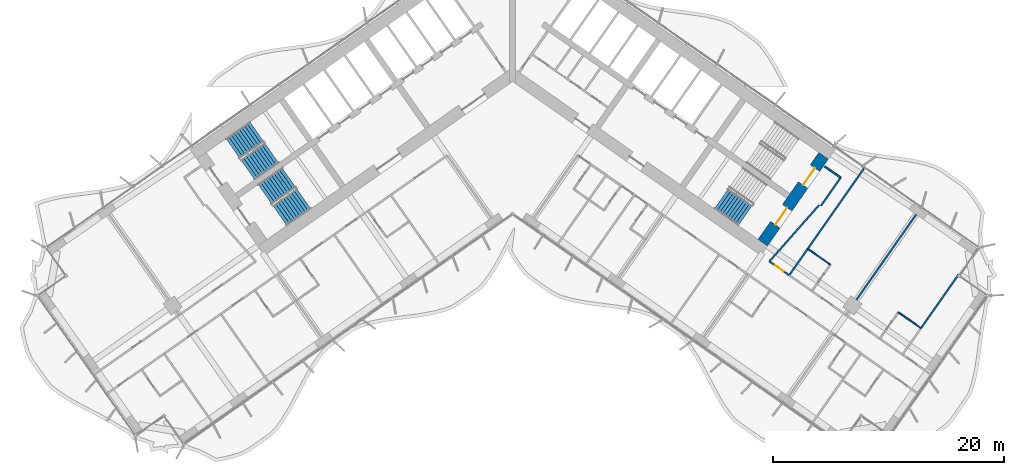
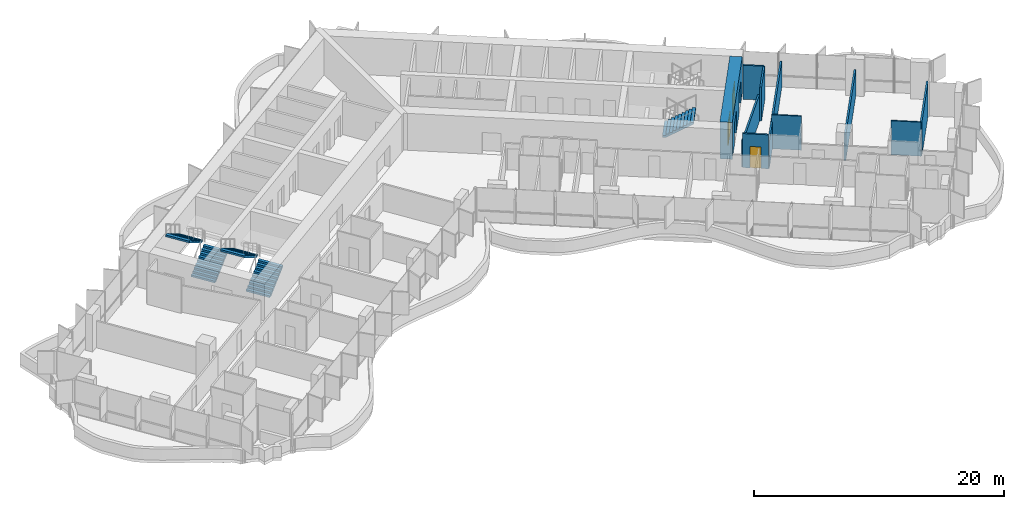
# One storey, part 16 of 23: 11 walls, 5 stair flights, 3 doors, 3 openings, 3 elements without a shape of their own.
"""IFC4 building model written with IfcOpenShell, lengths in metres."""

from ifc_helpers import new_model, si_unit, direction, frame, frame_2d, origin, place, context, subcontext, project, spatial, polyline, rectangle, outline, extrude, material, layer, layer_set, type_object, element, fill, aggregate, save


model = new_model("IFC4")

# Units and contexts
model_context = context("Model", 3, precision=1e-05, world=origin(), true_north=direction((0.0, 1.0)))
body_context = subcontext(model_context, "Body", "Model", "MODEL_VIEW")
ifc_project = project(units=[si_unit("LENGTHUNIT", "METRE"), si_unit("AREAUNIT", "SQUARE_METRE"), si_unit("VOLUMEUNIT", "CUBIC_METRE"), si_unit("PLANEANGLEUNIT", "RADIAN"), si_unit("MASSUNIT", "GRAM", prefix="KILO")], contexts=[model_context])

# Site, building, storey
site_placement = place(None, origin())
site = spatial("IfcSite", under=ifc_project, at=site_placement, CompositionType="ELEMENT")
building_placement = place(site_placement, origin())
building = spatial("IfcBuilding", under=site, at=building_placement, Name="Tel Ilan Convention Tower", CompositionType="ELEMENT")
storey_placement = place(building_placement, frame((0.0, 0.0, 115.699951171875)))
storey = spatial("IfcBuildingStorey", under=building, at=storey_placement, Name="L25", CompositionType="ELEMENT", Elevation=115.699951171875)

# Wall, openings, doors
ifc_material_1 = material(Name="Concrete C60/75", Category="concrete")
ifc_layer_1 = layer(ifc_material_1, 1.0)
ifc_layer_set_1 = layer_set([ifc_layer_1], Name="Core Shear Wall 1000 mm C60/75")
wall_type_1 = type_object("IfcWallType", Name="Core Shear Wall 1000 mm C60/75", PredefinedType="SHEAR", material=ifc_layer_set_1)
wall_1_placement = place(storey_placement, frame((21.70751953125, -15.19970703125, 0.0), z_axis=(0.0, 0.0, 1.0), x_axis=(0.573576324356, 0.819152122709, 0.0)))
wall_1 = element("IfcWall", 1, at=wall_1_placement, inside=storey, type_object=wall_type_1, Name="L25 core wall E-end", PredefinedType="SHEAR", context=body_context, shape_type="SweptSolid", body=[
    extrude(outline(polyline([(9.199951171875, 0.5), (0.0, 0.5), (0.0, -0.5), (9.199951171875, -0.5), (9.199951171875, 0.5)])), origin(), (0.0, 0.0, 1.0), 3.60009765625),
])
opening_1_placement = place(wall_1_placement, frame((6.10009765625, 0.0, 0.0)))
opening_1 = element("IfcOpeningElement", 2, at=opening_1_placement, cuts=wall_1, Name="Opening SD2003", PredefinedType="OPENING", context=body_context, shape_type="SweptSolid", body=[
    extrude(rectangle(XDim=1.800048828125, YDim=2.10009765625, at=frame_2d((0.89990234375, 1.050048828125))), frame((0.0, 0.510009765625, 0.0), z_axis=(0.0, -1.0, 0.0), x_axis=(1.0, 0.0, 0.0)), (0.0, 0.0, 1.0), 1.02001953125),
])
opening_2_placement = place(wall_1_placement, frame((1.89990234375, 0.0, 0.0)))
opening_2 = element("IfcOpeningElement", 3, at=opening_2_placement, cuts=wall_1, Name="Opening SD2004", PredefinedType="OPENING", context=body_context, shape_type="SweptSolid", body=[
    extrude(rectangle(XDim=1.800048828125, YDim=2.10009765625, at=frame_2d((0.89990234375, 1.050048828125))), frame((0.0, 0.510009765625, 0.0), z_axis=(0.0, -1.0, 0.0), x_axis=(1.0, 0.0, 0.0)), (0.0, 0.0, 1.0), 1.02001953125),
])
ifc_material_2 = material(Name="Galvanised Steel Door Leaf", Category="steel")
door_type_1 = type_object("IfcDoorType", Name="Stair Fire Door 1800 x 2100 FD60S", OperationType="NOTDEFINED", PredefinedType="DOOR", material=ifc_material_2)
door_1_placement = place(opening_1_placement, origin())
door_1 = element("IfcDoor", 4, at=door_1_placement, inside=storey, type_object=door_type_1, Name="Stair S3 door", OperationType="DOUBLE_DOOR_SINGLE_SWING", OverallHeight=2.10009765625, OverallWidth=1.800048828125, PredefinedType="DOOR", context=body_context, shape_type="SweptSolid", body=[
    extrude(rectangle(XDim=1.800048828125, YDim=2.10009765625, at=frame_2d((0.89990234375, 1.050048828125))), frame((0.0, 0.02490234375, 0.0), z_axis=(0.0, -1.0, 0.0), x_axis=(1.0, 0.0, 0.0)), (0.0, 0.0, 1.0), 0.050048828125),
])
fill(opening_1, door_1)
door_2_placement = place(opening_2_placement, origin())
door_2 = element("IfcDoor", 5, at=door_2_placement, inside=storey, type_object=door_type_1, Name="Stair S4 door", OperationType="DOUBLE_DOOR_SINGLE_SWING", OverallHeight=2.10009765625, OverallWidth=1.800048828125, PredefinedType="DOOR", context=body_context, shape_type="SweptSolid", body=[
    extrude(rectangle(XDim=1.800048828125, YDim=2.10009765625, at=frame_2d((0.89990234375, 1.050048828125))), frame((0.0, 0.02490234375, 0.0), z_axis=(0.0, -1.0, 0.0), x_axis=(1.0, 0.0, 0.0)), (0.0, 0.0, 1.0), 0.050048828125),
])
fill(opening_2, door_2)

# Wall, opening, door
ifc_material_3 = material(Name="Plasterboard on Steel Studs", Category="steel")
ifc_layer_2 = layer(ifc_material_3, 0.14990234375)
ifc_layer_set_2 = layer_set([ifc_layer_2], Name="Fire-rated Partition 150 EI 60")
wall_type_2 = type_object("IfcWallType", Name="Fire-rated Partition 150 EI 60", PredefinedType="PARTITIONING", material=ifc_layer_set_2)
wall_2_placement = place(storey_placement, frame((22.28369140625, -16.823974609375, 0.0), z_axis=(0.0, 0.0, 1.0), x_axis=(0.819160859995, -0.573563846013, 0.0)))
wall_2 = element("IfcWall", 6, at=wall_2_placement, inside=storey, type_object=wall_type_2, Name="Partition 001", PredefinedType="PARTITIONING", context=body_context, shape_type="SweptSolid", body=[
    extrude(rectangle(XDim=2.098388671875, YDim=0.14990234375, at=frame_2d((1.04931640625, 0.0))), origin(), (0.0, 0.0, 1.0), 3.320068359375),
])
opening_3_placement = place(wall_2_placement, frame((0.59912109375, 0.0, 0.0)))
opening_3 = element("IfcOpeningElement", 7, at=opening_3_placement, cuts=wall_2, Name="Opening L24-027", PredefinedType="OPENING", context=body_context, shape_type="SweptSolid", body=[
    extrude(rectangle(XDim=0.89990234375, YDim=2.10009765625, at=frame_2d((0.449951171875, 1.050048828125))), frame((0.0, 0.0849609375, 0.0), z_axis=(0.0, -1.0, 0.0), x_axis=(1.0, 0.0, 0.0)), (0.0, 0.0, 1.0), 0.169921875),
])
ifc_material_4 = material(Name="Timber Door Leaf in Steel Frame", Category="steel")
door_type_2 = type_object("IfcDoorType", Name="Room Fire Door 900x2100", OperationType="NOTDEFINED", PredefinedType="DOOR", material=ifc_material_4)
door_3_placement = place(opening_3_placement, origin())
door_3 = element("IfcDoor", 8, at=door_3_placement, inside=storey, type_object=door_type_2, Name="Door L24-027", OperationType="SINGLE_SWING_LEFT", OverallHeight=2.10009765625, OverallWidth=0.89990234375, PredefinedType="DOOR", context=body_context, shape_type="SweptSolid", body=[
    extrude(rectangle(XDim=0.89990234375, YDim=2.10009765625, at=frame_2d((0.449951171875, 1.050048828125))), frame((0.0, 0.02490234375, 0.0), z_axis=(0.0, -1.0, 0.0), x_axis=(1.0, 0.0, 0.0)), (0.0, 0.0, 1.0), 0.050048828125),
])
fill(opening_3, door_3)

# Walls
wall_3_placement = place(storey_placement, frame((30.482421875, -8.77001953125, 0.0), z_axis=(0.0, 0.0, 1.0), x_axis=(-0.573576058406, -0.819152308929, 0.0)))
element("IfcWall", 9, at=wall_3_placement, inside=storey, type_object=wall_type_2, Name="Partition 033", PredefinedType="PARTITIONING", context=body_context, shape_type="SweptSolid", body=[
    extrude(rectangle(XDim=8.5009765625, YDim=0.14990234375, at=frame_2d((4.25048828125, 0.0))), origin(), (0.0, 0.0, 1.0), 2.60009765625),
])
wall_4_placement = place(storey_placement, frame((25.608154296875, -15.731201171875, 0.0), z_axis=(0.0, 0.0, 1.0), x_axis=(-0.573596837309, -0.819137759006, 0.0)))
element("IfcWall", 10, at=wall_4_placement, inside=storey, type_object=wall_type_2, Name="Partition 034", PredefinedType="PARTITIONING", context=body_context, shape_type="SweptSolid", body=[
    extrude(rectangle(XDim=2.802001953125, YDim=0.14990234375, at=frame_2d((1.40087890625, 0.0))), origin(), (0.0, 0.0, 1.0), 2.60009765625),
])
wall_5_placement = place(storey_placement, frame((22.285400390625, -16.8251953125, 0.0), z_axis=(0.0, 0.0, 1.0), x_axis=(0.661551268245, 0.749899939647, 0.0)))
element("IfcWall", 11, at=wall_5_placement, inside=storey, type_object=wall_type_2, Name="Partition 035", PredefinedType="PARTITIONING", context=body_context, shape_type="SweptSolid", body=[
    extrude(rectangle(XDim=6.541015625, YDim=0.14990234375, at=frame_2d((3.2705078125, 0.0))), origin(), (0.0, 0.0, 1.0), 2.60009765625),
])
wall_6_placement = place(storey_placement, frame((26.74609375, -12.013671875, 0.0), z_axis=(0.0, 0.0, 1.0), x_axis=(0.573560650686, 0.819163097304, 0.0)))
element("IfcWall", 12, at=wall_6_placement, inside=storey, type_object=wall_type_2, Name="Partition 036", PredefinedType="PARTITIONING", context=body_context, shape_type="SweptSolid", body=[
    extrude(rectangle(XDim=3.0, YDim=0.14990234375, at=frame_2d((1.5, 0.0))), origin(), (0.0, 0.0, 1.0), 3.320068359375),
])
wall_7_placement = place(storey_placement, frame((28.466796875, -9.55615234375, 0.0), z_axis=(0.0, 0.0, 1.0), x_axis=(-0.819109000826, 0.573637903879, 0.0)))
element("IfcWall", 13, at=wall_7_placement, inside=storey, type_object=wall_type_2, Name="Partition 037", PredefinedType="PARTITIONING", context=body_context, shape_type="SweptSolid", body=[
    extrude(rectangle(XDim=1.679931640625, YDim=0.14990234375, at=frame_2d((0.83984375, 0.0))), origin(), (0.0, 0.0, 1.0), 3.320068359375),
])
wall_8_placement = place(storey_placement, frame((35.012939453125, -12.76025390625, 0.0), z_axis=(0.0, 0.0, 1.0), x_axis=(-0.573558725113, -0.819164445546, 0.0)))
element("IfcWall", 14, at=wall_8_placement, inside=storey, type_object=wall_type_2, Name="Partition 040", PredefinedType="PARTITIONING", context=body_context, shape_type="SweptSolid", body=[
    extrude(rectangle(XDim=9.010009765625, YDim=0.14990234375, at=frame_2d((4.5048828125, 0.0))), origin(), (0.0, 0.0, 1.0), 2.60009765625),
])
wall_9_placement = place(storey_placement, frame((38.70751953125, -17.94482421875, 0.0), z_axis=(0.0, 0.0, 1.0), x_axis=(-0.573568678046, -0.819157476658, 0.0)))
element("IfcWall", 15, at=wall_9_placement, inside=storey, type_object=wall_type_2, Name="Partition 044", PredefinedType="PARTITIONING", context=body_context, shape_type="SweptSolid", body=[
    extrude(rectangle(XDim=5.701171875, YDim=0.14990234375, at=frame_2d((2.8505859375, 0.0))), origin(), (0.0, 0.0, 1.0), 3.320068359375),
])
ifc_material_5 = material(Name="Plasterboard on Steel Studs", Category="steel")
ifc_layer_3 = layer(ifc_material_5, 0.1201171875)
ifc_layer_set_3 = layer_set([ifc_layer_3], Name="Moisture-resistant Partition 120")
wall_type_3 = type_object("IfcWallType", Name="Moisture-resistant Partition 120", PredefinedType="PARTITIONING", material=ifc_layer_set_3)
wall_10_placement = place(storey_placement, frame((27.573486328125, -17.108642578125, 0.0), z_axis=(0.0, 0.0, 1.0), x_axis=(-0.819107643868, 0.573639841501, 0.0)))
element("IfcWall", 16, at=wall_10_placement, inside=storey, type_object=wall_type_3, Name="Partition 039", PredefinedType="PARTITIONING", context=body_context, shape_type="SweptSolid", body=[
    extrude(rectangle(XDim=2.39990234375, YDim=0.1201171875, at=frame_2d((1.199951171875, 0.0))), origin(), (0.0, 0.0, 1.0), 3.320068359375),
])
wall_11_placement = place(storey_placement, frame((35.4375, -22.614990234375, 0.0), z_axis=(0.0, 0.0, 1.0), x_axis=(-0.819141114317, 0.573592045652, 0.0)))
element("IfcWall", 17, at=wall_11_placement, inside=storey, type_object=wall_type_3, Name="Partition 042", PredefinedType="PARTITIONING", context=body_context, shape_type="SweptSolid", body=[
    extrude(rectangle(XDim=2.400146484375, YDim=0.1201171875, at=frame_2d((1.2001953125, 0.0))), origin(), (0.0, 0.0, 1.0), 3.320068359375),
])

# Stair, stair flights
ifc_material_6 = material(Name="Concrete C40/50", Category="concrete")
stair_type = type_object("IfcStairType", Name="Pressurised Exit Stair 20 risers 180 mm", PredefinedType="HALF_TURN_STAIR", material=ifc_material_6)
stair_1_placement = place(storey_placement, origin())
stair_1 = element("IfcStair", 18, at=stair_1_placement, inside=storey, type_object=stair_type, Name="L25 Pressurised Stair S1", PredefinedType="HALF_TURN_STAIR")
ifc_material_7 = material(Name="Precast Concrete C40/50", Category="concrete")
stair_flight_type = type_object("IfcStairFlightType", Name="Concrete Stair Flight 2100 mm 20 risers 180 mm", PredefinedType="STRAIGHT", material=ifc_material_7)
stair_flight_1_placement = place(storey_placement, frame((-22.9619140625, -8.87548828125, 0.0), z_axis=(0.0, 0.0, 1.0), x_axis=(0.819152044289, 0.573576436351, 0.0)))
stair_flight_1 = element("IfcStairFlight", 19, at=stair_flight_1_placement, type_object=stair_flight_type, Name="S1 flight 1", NumberOfRisers=10, NumberOfTreads=9, PredefinedType="STRAIGHT", RiserHeight=0.18, TreadLength=0.28, context=body_context, shape_type="SweptSolid", body=[
    extrude(outline(polyline([(0.0, 0.0), (0.0, 0.179931640625), (0.280029296875, 0.179931640625), (0.280029296875, 0.360107421875), (0.56005859375, 0.360107421875), (0.56005859375, 0.5400390625), (0.840087890625, 0.5400390625), (0.840087890625, 0.719970703125), (1.1201171875, 0.719970703125), (1.1201171875, 0.89990234375), (1.39990234375, 0.89990234375), (1.39990234375, 1.080078125), (1.679931640625, 1.080078125), (1.679931640625, 1.260009765625), (1.9599609375, 1.260009765625), (1.9599609375, 1.43994140625), (2.239990234375, 1.43994140625), (2.239990234375, 1.6201171875), (2.52001953125, 1.6201171875), (2.52001953125, 1.800048828125), (2.52001953125, 1.44189453125), (0.277099609375, 0.0), (0.0, 0.0)])), frame((0.0, -0.100341796875, 0.0), z_axis=(0.0, -1.0, 0.0), x_axis=(1.0, 0.0, 0.0)), (0.0, 0.0, 1.0), 0.94970703125),
    extrude(outline(polyline([(0.0, 0.0), (0.0, 0.179931640625), (0.280029296875, 0.179931640625), (0.280029296875, 0.360107421875), (0.56005859375, 0.360107421875), (0.56005859375, 0.5400390625), (0.840087890625, 0.5400390625), (0.840087890625, 0.719970703125), (1.1201171875, 0.719970703125), (1.1201171875, 0.89990234375), (1.39990234375, 0.89990234375), (1.39990234375, 1.080078125), (1.679931640625, 1.080078125), (1.679931640625, 1.260009765625), (1.9599609375, 1.260009765625), (1.9599609375, 1.43994140625), (2.239990234375, 1.43994140625), (2.239990234375, 1.6201171875), (2.52001953125, 1.6201171875), (2.52001953125, 1.800048828125), (2.52001953125, 1.44189453125), (0.277099609375, 0.0), (0.0, 0.0)])), frame((0.0, -0.000244140625, 0.0), z_axis=(0.0, -1.0, 0.0), x_axis=(1.0, 0.0, 0.0)), (0.0, 0.0, 1.0), 0.099609375),
    extrude(outline(polyline([(0.0, 0.0), (0.0, 0.179931640625), (0.280029296875, 0.179931640625), (0.280029296875, 0.360107421875), (0.56005859375, 0.360107421875), (0.56005859375, 0.5400390625), (0.840087890625, 0.5400390625), (0.840087890625, 0.719970703125), (1.1201171875, 0.719970703125), (1.1201171875, 0.89990234375), (1.39990234375, 0.89990234375), (1.39990234375, 1.080078125), (1.679931640625, 1.080078125), (1.679931640625, 1.260009765625), (1.9599609375, 1.260009765625), (1.9599609375, 1.43994140625), (2.239990234375, 1.43994140625), (2.239990234375, 1.6201171875), (2.52001953125, 1.6201171875), (2.52001953125, 1.800048828125), (2.52001953125, 1.44189453125), (0.277099609375, 0.0), (0.0, 0.0)])), frame((0.0, 0.099853515625, 0.0), z_axis=(0.0, -1.0, 0.0), x_axis=(1.0, 0.0, 0.0)), (0.0, 0.0, 1.0), 0.099609375),
    extrude(outline(polyline([(0.0, 0.0), (0.0, 0.179931640625), (0.280029296875, 0.179931640625), (0.280029296875, 0.360107421875), (0.56005859375, 0.360107421875), (0.56005859375, 0.5400390625), (0.840087890625, 0.5400390625), (0.840087890625, 0.719970703125), (1.1201171875, 0.719970703125), (1.1201171875, 0.89990234375), (1.39990234375, 0.89990234375), (1.39990234375, 1.080078125), (1.679931640625, 1.080078125), (1.679931640625, 1.260009765625), (1.9599609375, 1.260009765625), (1.9599609375, 1.43994140625), (2.239990234375, 1.43994140625), (2.239990234375, 1.6201171875), (2.52001953125, 1.6201171875), (2.52001953125, 1.800048828125), (2.52001953125, 1.44189453125), (0.277099609375, 0.0), (0.0, 0.0)])), frame((0.0, 1.050048828125, 0.0), z_axis=(0.0, -1.0, 0.0), x_axis=(1.0, 0.0, 0.0)), (0.0, 0.0, 1.0), 0.94970703125),
])
stair_flight_2_placement = place(storey_placement, frame((-22.188232421875, -5.5869140625, 1.800048828125), z_axis=(0.0, 0.0, 1.0), x_axis=(-0.819152044289, -0.573576436351, 0.0)))
stair_flight_2 = element("IfcStairFlight", 20, at=stair_flight_2_placement, type_object=stair_flight_type, Name="S1 flight 2", NumberOfRisers=10, NumberOfTreads=9, PredefinedType="STRAIGHT", RiserHeight=0.18, TreadLength=0.28, context=body_context, shape_type="SweptSolid", body=[
    extrude(outline(polyline([(0.0, 0.0), (0.0, 0.179931640625), (0.280029296875, 0.179931640625), (0.280029296875, 0.360107421875), (0.56005859375, 0.360107421875), (0.56005859375, 0.5400390625), (0.840087890625, 0.5400390625), (0.840087890625, 0.719970703125), (1.1201171875, 0.719970703125), (1.1201171875, 0.89990234375), (1.39990234375, 0.89990234375), (1.39990234375, 1.080078125), (1.679931640625, 1.080078125), (1.679931640625, 1.260009765625), (1.9599609375, 1.260009765625), (1.9599609375, 1.43994140625), (2.239990234375, 1.43994140625), (2.239990234375, 1.6201171875), (2.52001953125, 1.6201171875), (2.52001953125, 1.800048828125), (2.52001953125, 1.44189453125), (0.277099609375, 0.0), (0.0, 0.0)])), frame((0.0, -0.100341796875, 0.0), z_axis=(0.0, -1.0, 0.0), x_axis=(1.0, 0.0, 0.0)), (0.0, 0.0, 1.0), 0.94970703125),
    extrude(outline(polyline([(0.0, 0.0), (0.0, 0.179931640625), (0.280029296875, 0.179931640625), (0.280029296875, 0.360107421875), (0.56005859375, 0.360107421875), (0.56005859375, 0.5400390625), (0.840087890625, 0.5400390625), (0.840087890625, 0.719970703125), (1.1201171875, 0.719970703125), (1.1201171875, 0.89990234375), (1.39990234375, 0.89990234375), (1.39990234375, 1.080078125), (1.679931640625, 1.080078125), (1.679931640625, 1.260009765625), (1.9599609375, 1.260009765625), (1.9599609375, 1.43994140625), (2.239990234375, 1.43994140625), (2.239990234375, 1.6201171875), (2.52001953125, 1.6201171875), (2.52001953125, 1.800048828125), (2.52001953125, 1.44189453125), (0.277099609375, 0.0), (0.0, 0.0)])), frame((0.0, -0.000244140625, 0.0), z_axis=(0.0, -1.0, 0.0), x_axis=(1.0, 0.0, 0.0)), (0.0, 0.0, 1.0), 0.099609375),
    extrude(outline(polyline([(0.0, 0.0), (0.0, 0.179931640625), (0.280029296875, 0.179931640625), (0.280029296875, 0.360107421875), (0.56005859375, 0.360107421875), (0.56005859375, 0.5400390625), (0.840087890625, 0.5400390625), (0.840087890625, 0.719970703125), (1.1201171875, 0.719970703125), (1.1201171875, 0.89990234375), (1.39990234375, 0.89990234375), (1.39990234375, 1.080078125), (1.679931640625, 1.080078125), (1.679931640625, 1.260009765625), (1.9599609375, 1.260009765625), (1.9599609375, 1.43994140625), (2.239990234375, 1.43994140625), (2.239990234375, 1.6201171875), (2.52001953125, 1.6201171875), (2.52001953125, 1.800048828125), (2.52001953125, 1.44189453125), (0.277099609375, 0.0), (0.0, 0.0)])), frame((0.0, 0.099853515625, 0.0), z_axis=(0.0, -1.0, 0.0), x_axis=(1.0, 0.0, 0.0)), (0.0, 0.0, 1.0), 0.099609375),
    extrude(outline(polyline([(0.0, 0.0), (0.0, 0.179931640625), (0.280029296875, 0.179931640625), (0.280029296875, 0.360107421875), (0.56005859375, 0.360107421875), (0.56005859375, 0.5400390625), (0.840087890625, 0.5400390625), (0.840087890625, 0.719970703125), (1.1201171875, 0.719970703125), (1.1201171875, 0.89990234375), (1.39990234375, 0.89990234375), (1.39990234375, 1.080078125), (1.679931640625, 1.080078125), (1.679931640625, 1.260009765625), (1.9599609375, 1.260009765625), (1.9599609375, 1.43994140625), (2.239990234375, 1.43994140625), (2.239990234375, 1.6201171875), (2.52001953125, 1.6201171875), (2.52001953125, 1.800048828125), (2.52001953125, 1.44189453125), (0.277099609375, 0.0), (0.0, 0.0)])), frame((0.0, 1.050048828125, 0.0), z_axis=(0.0, -1.0, 0.0), x_axis=(1.0, 0.0, 0.0)), (0.0, 0.0, 1.0), 0.94970703125),
])
aggregate(stair_1, [stair_flight_1, stair_flight_2])

stair_2_placement = place(storey_placement, origin())
stair_2 = element("IfcStair", 21, at=stair_2_placement, inside=storey, type_object=stair_type, Name="L25 Pressurised Stair S2", PredefinedType="HALF_TURN_STAIR")
stair_flight_3_placement = place(storey_placement, frame((-20.179931640625, -12.848388671875, 0.0), z_axis=(0.0, 0.0, 1.0), x_axis=(0.819152044289, 0.573576436351, 0.0)))
stair_flight_3 = element("IfcStairFlight", 22, at=stair_flight_3_placement, type_object=stair_flight_type, Name="S2 flight 1", NumberOfRisers=10, NumberOfTreads=9, PredefinedType="STRAIGHT", RiserHeight=0.18, TreadLength=0.28, context=body_context, shape_type="SweptSolid", body=[
    extrude(outline(polyline([(0.0, 0.0), (0.0, 0.179931640625), (0.280029296875, 0.179931640625), (0.280029296875, 0.360107421875), (0.56005859375, 0.360107421875), (0.56005859375, 0.5400390625), (0.840087890625, 0.5400390625), (0.840087890625, 0.719970703125), (1.1201171875, 0.719970703125), (1.1201171875, 0.89990234375), (1.39990234375, 0.89990234375), (1.39990234375, 1.080078125), (1.679931640625, 1.080078125), (1.679931640625, 1.260009765625), (1.9599609375, 1.260009765625), (1.9599609375, 1.43994140625), (2.239990234375, 1.43994140625), (2.239990234375, 1.6201171875), (2.52001953125, 1.6201171875), (2.52001953125, 1.800048828125), (2.52001953125, 1.44189453125), (0.277099609375, 0.0), (0.0, 0.0)])), frame((0.0, -0.100341796875, 0.0), z_axis=(0.0, -1.0, 0.0), x_axis=(1.0, 0.0, 0.0)), (0.0, 0.0, 1.0), 0.94970703125),
    extrude(outline(polyline([(0.0, 0.0), (0.0, 0.179931640625), (0.280029296875, 0.179931640625), (0.280029296875, 0.360107421875), (0.56005859375, 0.360107421875), (0.56005859375, 0.5400390625), (0.840087890625, 0.5400390625), (0.840087890625, 0.719970703125), (1.1201171875, 0.719970703125), (1.1201171875, 0.89990234375), (1.39990234375, 0.89990234375), (1.39990234375, 1.080078125), (1.679931640625, 1.080078125), (1.679931640625, 1.260009765625), (1.9599609375, 1.260009765625), (1.9599609375, 1.43994140625), (2.239990234375, 1.43994140625), (2.239990234375, 1.6201171875), (2.52001953125, 1.6201171875), (2.52001953125, 1.800048828125), (2.52001953125, 1.44189453125), (0.277099609375, 0.0), (0.0, 0.0)])), frame((0.0, -0.000244140625, 0.0), z_axis=(0.0, -1.0, 0.0), x_axis=(1.0, 0.0, 0.0)), (0.0, 0.0, 1.0), 0.099609375),
    extrude(outline(polyline([(0.0, 0.0), (0.0, 0.179931640625), (0.280029296875, 0.179931640625), (0.280029296875, 0.360107421875), (0.56005859375, 0.360107421875), (0.56005859375, 0.5400390625), (0.840087890625, 0.5400390625), (0.840087890625, 0.719970703125), (1.1201171875, 0.719970703125), (1.1201171875, 0.89990234375), (1.39990234375, 0.89990234375), (1.39990234375, 1.080078125), (1.679931640625, 1.080078125), (1.679931640625, 1.260009765625), (1.9599609375, 1.260009765625), (1.9599609375, 1.43994140625), (2.239990234375, 1.43994140625), (2.239990234375, 1.6201171875), (2.52001953125, 1.6201171875), (2.52001953125, 1.800048828125), (2.52001953125, 1.44189453125), (0.277099609375, 0.0), (0.0, 0.0)])), frame((0.0, 0.099853515625, 0.0), z_axis=(0.0, -1.0, 0.0), x_axis=(1.0, 0.0, 0.0)), (0.0, 0.0, 1.0), 0.099609375),
    extrude(outline(polyline([(0.0, 0.0), (0.0, 0.179931640625), (0.280029296875, 0.179931640625), (0.280029296875, 0.360107421875), (0.56005859375, 0.360107421875), (0.56005859375, 0.5400390625), (0.840087890625, 0.5400390625), (0.840087890625, 0.719970703125), (1.1201171875, 0.719970703125), (1.1201171875, 0.89990234375), (1.39990234375, 0.89990234375), (1.39990234375, 1.080078125), (1.679931640625, 1.080078125), (1.679931640625, 1.260009765625), (1.9599609375, 1.260009765625), (1.9599609375, 1.43994140625), (2.239990234375, 1.43994140625), (2.239990234375, 1.6201171875), (2.52001953125, 1.6201171875), (2.52001953125, 1.800048828125), (2.52001953125, 1.44189453125), (0.277099609375, 0.0), (0.0, 0.0)])), frame((0.0, 1.050048828125, 0.0), z_axis=(0.0, -1.0, 0.0), x_axis=(1.0, 0.0, 0.0)), (0.0, 0.0, 1.0), 0.94970703125),
])
stair_flight_4_placement = place(storey_placement, frame((-19.40625, -9.559814453125, 1.800048828125), z_axis=(0.0, 0.0, 1.0), x_axis=(-0.819152044289, -0.573576436351, 0.0)))
stair_flight_4 = element("IfcStairFlight", 23, at=stair_flight_4_placement, type_object=stair_flight_type, Name="S2 flight 2", NumberOfRisers=10, NumberOfTreads=9, PredefinedType="STRAIGHT", RiserHeight=0.18, TreadLength=0.28, context=body_context, shape_type="SweptSolid", body=[
    extrude(outline(polyline([(0.0, 0.0), (0.0, 0.179931640625), (0.280029296875, 0.179931640625), (0.280029296875, 0.360107421875), (0.56005859375, 0.360107421875), (0.56005859375, 0.5400390625), (0.840087890625, 0.5400390625), (0.840087890625, 0.719970703125), (1.1201171875, 0.719970703125), (1.1201171875, 0.89990234375), (1.39990234375, 0.89990234375), (1.39990234375, 1.080078125), (1.679931640625, 1.080078125), (1.679931640625, 1.260009765625), (1.9599609375, 1.260009765625), (1.9599609375, 1.43994140625), (2.239990234375, 1.43994140625), (2.239990234375, 1.6201171875), (2.52001953125, 1.6201171875), (2.52001953125, 1.800048828125), (2.52001953125, 1.44189453125), (0.277099609375, 0.0), (0.0, 0.0)])), frame((0.0, -0.100341796875, 0.0), z_axis=(0.0, -1.0, 0.0), x_axis=(1.0, 0.0, 0.0)), (0.0, 0.0, 1.0), 0.94970703125),
    extrude(outline(polyline([(0.0, 0.0), (0.0, 0.179931640625), (0.280029296875, 0.179931640625), (0.280029296875, 0.360107421875), (0.56005859375, 0.360107421875), (0.56005859375, 0.5400390625), (0.840087890625, 0.5400390625), (0.840087890625, 0.719970703125), (1.1201171875, 0.719970703125), (1.1201171875, 0.89990234375), (1.39990234375, 0.89990234375), (1.39990234375, 1.080078125), (1.679931640625, 1.080078125), (1.679931640625, 1.260009765625), (1.9599609375, 1.260009765625), (1.9599609375, 1.43994140625), (2.239990234375, 1.43994140625), (2.239990234375, 1.6201171875), (2.52001953125, 1.6201171875), (2.52001953125, 1.800048828125), (2.52001953125, 1.44189453125), (0.277099609375, 0.0), (0.0, 0.0)])), frame((0.0, -0.000244140625, 0.0), z_axis=(0.0, -1.0, 0.0), x_axis=(1.0, 0.0, 0.0)), (0.0, 0.0, 1.0), 0.099609375),
    extrude(outline(polyline([(0.0, 0.0), (0.0, 0.179931640625), (0.280029296875, 0.179931640625), (0.280029296875, 0.360107421875), (0.56005859375, 0.360107421875), (0.56005859375, 0.5400390625), (0.840087890625, 0.5400390625), (0.840087890625, 0.719970703125), (1.1201171875, 0.719970703125), (1.1201171875, 0.89990234375), (1.39990234375, 0.89990234375), (1.39990234375, 1.080078125), (1.679931640625, 1.080078125), (1.679931640625, 1.260009765625), (1.9599609375, 1.260009765625), (1.9599609375, 1.43994140625), (2.239990234375, 1.43994140625), (2.239990234375, 1.6201171875), (2.52001953125, 1.6201171875), (2.52001953125, 1.800048828125), (2.52001953125, 1.44189453125), (0.277099609375, 0.0), (0.0, 0.0)])), frame((0.0, 0.099853515625, 0.0), z_axis=(0.0, -1.0, 0.0), x_axis=(1.0, 0.0, 0.0)), (0.0, 0.0, 1.0), 0.099609375),
    extrude(outline(polyline([(0.0, 0.0), (0.0, 0.179931640625), (0.280029296875, 0.179931640625), (0.280029296875, 0.360107421875), (0.56005859375, 0.360107421875), (0.56005859375, 0.5400390625), (0.840087890625, 0.5400390625), (0.840087890625, 0.719970703125), (1.1201171875, 0.719970703125), (1.1201171875, 0.89990234375), (1.39990234375, 0.89990234375), (1.39990234375, 1.080078125), (1.679931640625, 1.080078125), (1.679931640625, 1.260009765625), (1.9599609375, 1.260009765625), (1.9599609375, 1.43994140625), (2.239990234375, 1.43994140625), (2.239990234375, 1.6201171875), (2.52001953125, 1.6201171875), (2.52001953125, 1.800048828125), (2.52001953125, 1.44189453125), (0.277099609375, 0.0), (0.0, 0.0)])), frame((0.0, 1.050048828125, 0.0), z_axis=(0.0, -1.0, 0.0), x_axis=(1.0, 0.0, 0.0)), (0.0, 0.0, 1.0), 0.94970703125),
])
aggregate(stair_2, [stair_flight_3, stair_flight_4])

# Stair, stair flight
stair_3_placement = place(storey_placement, origin())
stair_3 = element("IfcStair", 24, at=stair_3_placement, inside=storey, type_object=stair_type, Name="L25 Pressurised Stair S4", PredefinedType="HALF_TURN_STAIR")
stair_flight_5_placement = place(storey_placement, frame((18.11572265625, -11.403076171875, 1.800048828125), z_axis=(0.0, 0.0, 1.0), x_axis=(0.819152044289, -0.573576436351, 0.0)))
stair_flight_5 = element("IfcStairFlight", 25, at=stair_flight_5_placement, type_object=stair_flight_type, Name="S4 flight 2", NumberOfRisers=10, NumberOfTreads=9, PredefinedType="STRAIGHT", RiserHeight=0.18, TreadLength=0.28, context=body_context, shape_type="SweptSolid", body=[
    extrude(outline(polyline([(0.0, 0.0), (0.0, 0.179931640625), (0.280029296875, 0.179931640625), (0.280029296875, 0.360107421875), (0.56005859375, 0.360107421875), (0.56005859375, 0.5400390625), (0.840087890625, 0.5400390625), (0.840087890625, 0.719970703125), (1.1201171875, 0.719970703125), (1.1201171875, 0.89990234375), (1.39990234375, 0.89990234375), (1.39990234375, 1.080078125), (1.679931640625, 1.080078125), (1.679931640625, 1.260009765625), (1.9599609375, 1.260009765625), (1.9599609375, 1.43994140625), (2.239990234375, 1.43994140625), (2.239990234375, 1.6201171875), (2.52001953125, 1.6201171875), (2.52001953125, 1.800048828125), (2.52001953125, 1.44189453125), (0.277099609375, 0.0), (0.0, 0.0)])), frame((0.0, -0.100341796875, 0.0), z_axis=(0.0, -1.0, 0.0), x_axis=(1.0, 0.0, 0.0)), (0.0, 0.0, 1.0), 0.94970703125),
    extrude(outline(polyline([(0.0, 0.0), (0.0, 0.179931640625), (0.280029296875, 0.179931640625), (0.280029296875, 0.360107421875), (0.56005859375, 0.360107421875), (0.56005859375, 0.5400390625), (0.840087890625, 0.5400390625), (0.840087890625, 0.719970703125), (1.1201171875, 0.719970703125), (1.1201171875, 0.89990234375), (1.39990234375, 0.89990234375), (1.39990234375, 1.080078125), (1.679931640625, 1.080078125), (1.679931640625, 1.260009765625), (1.9599609375, 1.260009765625), (1.9599609375, 1.43994140625), (2.239990234375, 1.43994140625), (2.239990234375, 1.6201171875), (2.52001953125, 1.6201171875), (2.52001953125, 1.800048828125), (2.52001953125, 1.44189453125), (0.277099609375, 0.0), (0.0, 0.0)])), frame((0.0, -0.000244140625, 0.0), z_axis=(0.0, -1.0, 0.0), x_axis=(1.0, 0.0, 0.0)), (0.0, 0.0, 1.0), 0.099609375),
    extrude(outline(polyline([(0.0, 0.0), (0.0, 0.179931640625), (0.280029296875, 0.179931640625), (0.280029296875, 0.360107421875), (0.56005859375, 0.360107421875), (0.56005859375, 0.5400390625), (0.840087890625, 0.5400390625), (0.840087890625, 0.719970703125), (1.1201171875, 0.719970703125), (1.1201171875, 0.89990234375), (1.39990234375, 0.89990234375), (1.39990234375, 1.080078125), (1.679931640625, 1.080078125), (1.679931640625, 1.260009765625), (1.9599609375, 1.260009765625), (1.9599609375, 1.43994140625), (2.239990234375, 1.43994140625), (2.239990234375, 1.6201171875), (2.52001953125, 1.6201171875), (2.52001953125, 1.800048828125), (2.52001953125, 1.44189453125), (0.277099609375, 0.0), (0.0, 0.0)])), frame((0.0, 0.099853515625, 0.0), z_axis=(0.0, -1.0, 0.0), x_axis=(1.0, 0.0, 0.0)), (0.0, 0.0, 1.0), 0.099609375),
    extrude(outline(polyline([(0.0, 0.0), (0.0, 0.179931640625), (0.280029296875, 0.179931640625), (0.280029296875, 0.360107421875), (0.56005859375, 0.360107421875), (0.56005859375, 0.5400390625), (0.840087890625, 0.5400390625), (0.840087890625, 0.719970703125), (1.1201171875, 0.719970703125), (1.1201171875, 0.89990234375), (1.39990234375, 0.89990234375), (1.39990234375, 1.080078125), (1.679931640625, 1.080078125), (1.679931640625, 1.260009765625), (1.9599609375, 1.260009765625), (1.9599609375, 1.43994140625), (2.239990234375, 1.43994140625), (2.239990234375, 1.6201171875), (2.52001953125, 1.6201171875), (2.52001953125, 1.800048828125), (2.52001953125, 1.44189453125), (0.277099609375, 0.0), (0.0, 0.0)])), frame((0.0, 1.050048828125, 0.0), z_axis=(0.0, -1.0, 0.0), x_axis=(1.0, 0.0, 0.0)), (0.0, 0.0, 1.0), 0.94970703125),
])
aggregate(stair_3, [stair_flight_5])

save(model, "model.ifc")
